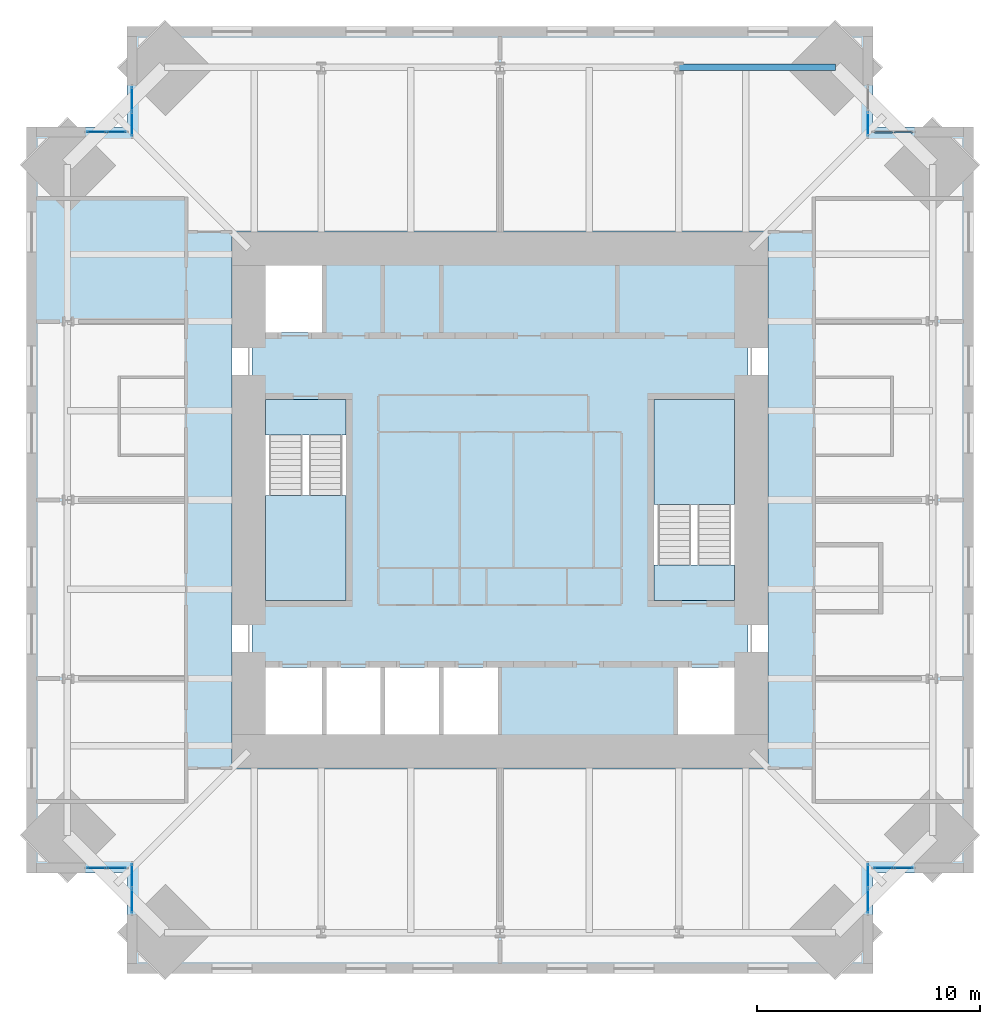
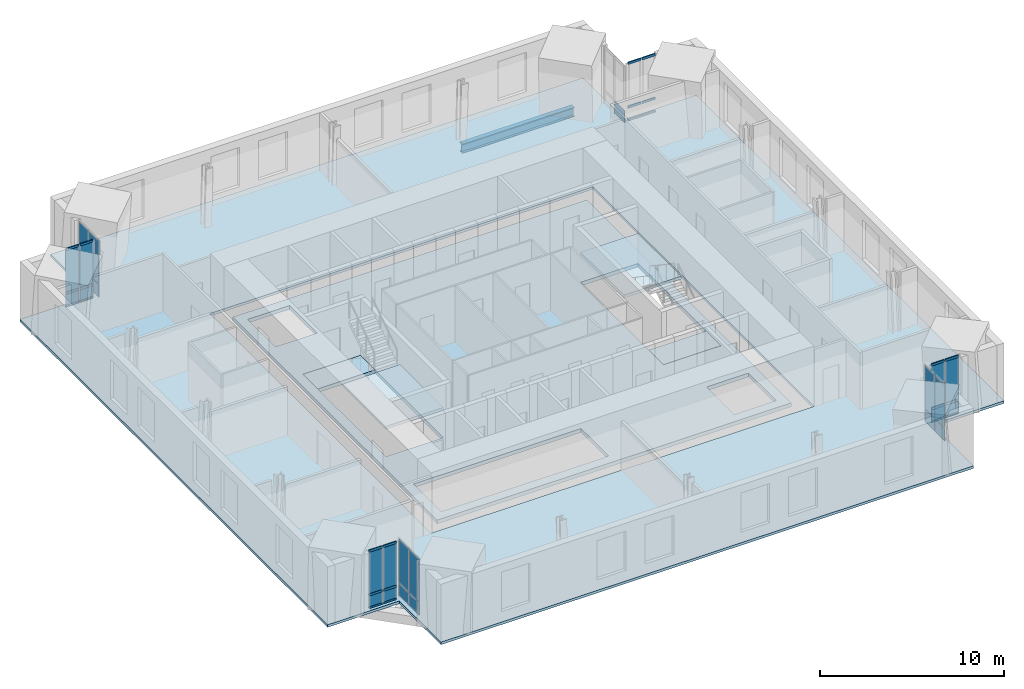
# One storey, part 9 of 15: 25 plates, 24 members, 6 slabs, 1 beam, 10 elements without a shape of their own.
"""IFC4 building model written with IfcOpenShell, lengths in metres."""

from ifc_helpers import new_model, si_unit, direction, frame, origin, origin_2d, place, context, subcontext, project, spatial, polyline, rectangle, hollow_rectangle, i_section, outline, extrude, material, layer, layer_set, material_profile, profile_set, type_object, element, aggregate, save


model = new_model("IFC4")

# Units and contexts
model_context = context("Model", 3, precision=1e-05, world=origin(), true_north=direction((0.0, 1.0)))
body_context = subcontext(model_context, "Body", "Model", "MODEL_VIEW")
ifc_project = project(units=[si_unit("LENGTHUNIT", "METRE"), si_unit("AREAUNIT", "SQUARE_METRE"), si_unit("VOLUMEUNIT", "CUBIC_METRE"), si_unit("PLANEANGLEUNIT", "RADIAN"), si_unit("MASSUNIT", "GRAM", prefix="KILO")], contexts=[model_context])

# Site, building, storey
site_placement = place(None, origin())
site = spatial("IfcSite", under=ifc_project, at=site_placement, CompositionType="ELEMENT")
building_placement = place(site_placement, origin())
building = spatial("IfcBuilding", under=site, at=building_placement, Name="Peilmerk Tower", CompositionType="ELEMENT")
storey_placement = place(building_placement, frame((0.0, 0.0, 285.800048828125)))
storey = spatial("IfcBuildingStorey", under=building, at=storey_placement, Name="L64", CompositionType="ELEMENT", Elevation=285.800048828125)

# Beam
ifc_material_1 = material(Name="Steel S355", Category="steel")
ifc_material_profile_1 = material_profile(ifc_material_1, i_section(OverallWidth=0.304931640625, OverallDepth=0.6201171875, WebThickness=0.02099609375, FlangeThickness=0.0400390625, at=origin_2d()), Name="HEM 600")
ifc_profile_set_1 = profile_set([ifc_material_profile_1], Name="Steel S355")
beam_type = type_object("IfcBeamType", Name="B31 HEM 600 edge beam", PredefinedType="SPANDREL", material=ifc_profile_set_1)
beam_placement = place(storey_placement, frame((15.0224609375, 19.37255859375, -0.47998046875), z_axis=(-1.0, 0.0, 0.0), x_axis=(0.0, -1.0, 0.0)))
element("IfcBeam", 1, at=beam_placement, inside=storey, type_object=beam_type, Name="Edge beam L64", PredefinedType="SPANDREL", context=body_context, shape_type="SweptSolid", body=[
    extrude(i_section(OverallWidth=0.304931640625, OverallDepth=0.6201171875, WebThickness=0.02099609375, FlangeThickness=0.0400390625, at=origin_2d()), origin(), (0.0, 0.0, 1.0), 7.0224609375),
])

# Curtain wall, members
ifc_material_2 = material(Name="Aluminium stick curtain wall", Category="aluminium")
curtain_wall_type = type_object("IfcCurtainWallType", Name="CW4 stick curtain wall, 2250 module", PredefinedType="NOTDEFINED", material=ifc_material_2)
curtain_wall_1_placement = place(storey_placement, origin())
curtain_wall_1 = element("IfcCurtainWall", 2, at=curtain_wall_1_placement, inside=storey, type_object=curtain_wall_type, Name="Curtain wall CW4 NEB L64", PredefinedType="NOTDEFINED")
ifc_material_3 = material(Name="Aluminium EN AW-6063 T6", Category="aluminium")
ifc_material_profile_2 = material_profile(ifc_material_3, hollow_rectangle(XDim=0.06494140625, YDim=0.14990234375, WallThickness=0.0029296875, at=origin_2d()), Name="AL 150x65x3")
ifc_profile_set_2 = profile_set([ifc_material_profile_2], Name="Aluminium EN AW-6063 T6")
member_type = type_object("IfcMemberType", Name="CW4-T AL 150x65x3 transom", PredefinedType="USERDEFINED", material=ifc_profile_set_2)
member_1_placement = place(storey_placement, frame((16.764892578125, 16.47509765625, 0.032470703125), z_axis=(1.0, 0.0, 0.0), x_axis=(0.0, 1.0, 0.0)))
member_1 = element("IfcMember", 3, at=member_1_placement, type_object=member_type, Name="CW4 transom 1.1", ObjectType="TRANSOM", PredefinedType="USERDEFINED", context=body_context, shape_type="SweptSolid", body=[
    extrude(hollow_rectangle(XDim=0.06494140625, YDim=0.14990234375, WallThickness=0.0029296875, at=origin_2d()), origin(), (0.0, 0.0, 1.0), 0.822021484375),
])
member_2_placement = place(storey_placement, frame((16.764892578125, 16.47509765625, 0.89990234375), z_axis=(1.0, 0.0, 0.0), x_axis=(0.0, 1.0, 0.0)))
member_2 = element("IfcMember", 4, at=member_2_placement, type_object=member_type, Name="CW4 transom 1.2", ObjectType="TRANSOM", PredefinedType="USERDEFINED", context=body_context, shape_type="SweptSolid", body=[
    extrude(hollow_rectangle(XDim=0.06494140625, YDim=0.14990234375, WallThickness=0.0029296875, at=origin_2d()), origin(), (0.0, 0.0, 1.0), 0.822021484375),
])
member_3_placement = place(storey_placement, frame((16.764892578125, 16.47509765625, 3.79736328125), z_axis=(1.0, 0.0, 0.0), x_axis=(0.0, 1.0, 0.0)))
member_3 = element("IfcMember", 5, at=member_3_placement, type_object=member_type, Name="CW4 transom 1.3", ObjectType="TRANSOM", PredefinedType="USERDEFINED", context=body_context, shape_type="SweptSolid", body=[
    extrude(hollow_rectangle(XDim=0.06494140625, YDim=0.14990234375, WallThickness=0.0029296875, at=origin_2d()), origin(), (0.0, 0.0, 1.0), 0.822021484375),
])
member_4_placement = place(storey_placement, frame((17.65185546875, 16.47509765625, 0.032470703125), z_axis=(1.0, 0.0, 0.0), x_axis=(0.0, 1.0, 0.0)))
member_4 = element("IfcMember", 6, at=member_4_placement, type_object=member_type, Name="CW4 transom 2.1", ObjectType="TRANSOM", PredefinedType="USERDEFINED", context=body_context, shape_type="SweptSolid", body=[
    extrude(hollow_rectangle(XDim=0.06494140625, YDim=0.14990234375, WallThickness=0.0029296875, at=origin_2d()), origin(), (0.0, 0.0, 1.0), 0.82177734375),
])
member_5_placement = place(storey_placement, frame((17.65185546875, 16.47509765625, 0.89990234375), z_axis=(1.0, 0.0, 0.0), x_axis=(0.0, 1.0, 0.0)))
member_5 = element("IfcMember", 7, at=member_5_placement, type_object=member_type, Name="CW4 transom 2.2", ObjectType="TRANSOM", PredefinedType="USERDEFINED", context=body_context, shape_type="SweptSolid", body=[
    extrude(hollow_rectangle(XDim=0.06494140625, YDim=0.14990234375, WallThickness=0.0029296875, at=origin_2d()), origin(), (0.0, 0.0, 1.0), 0.82177734375),
])
member_6_placement = place(storey_placement, frame((17.65185546875, 16.47509765625, 3.79736328125), z_axis=(1.0, 0.0, 0.0), x_axis=(0.0, 1.0, 0.0)))
member_6 = element("IfcMember", 8, at=member_6_placement, type_object=member_type, Name="CW4 transom 2.3", ObjectType="TRANSOM", PredefinedType="USERDEFINED", context=body_context, shape_type="SweptSolid", body=[
    extrude(hollow_rectangle(XDim=0.06494140625, YDim=0.14990234375, WallThickness=0.0029296875, at=origin_2d()), origin(), (0.0, 0.0, 1.0), 0.82177734375),
])
aggregate(curtain_wall_1, [member_1, member_2, member_3, member_4, member_5, member_6])

curtain_wall_2_placement = place(storey_placement, origin())
curtain_wall_2 = element("IfcCurtainWall", 9, at=curtain_wall_2_placement, inside=storey, type_object=curtain_wall_type, Name="Curtain wall CW4 SEB L64", PredefinedType="NOTDEFINED")
member_7_placement = place(storey_placement, frame((16.764892578125, -16.47509765625, 0.032470703125), z_axis=(1.0, 0.0, 0.0), x_axis=(0.0, 1.0, 0.0)))
member_7 = element("IfcMember", 10, at=member_7_placement, type_object=member_type, Name="CW4 transom 1.1", ObjectType="TRANSOM", PredefinedType="USERDEFINED", context=body_context, shape_type="SweptSolid", body=[
    extrude(hollow_rectangle(XDim=0.06494140625, YDim=0.14990234375, WallThickness=0.0029296875, at=origin_2d()), origin(), (0.0, 0.0, 1.0), 0.822021484375),
])
member_8_placement = place(storey_placement, frame((16.764892578125, -16.47509765625, 0.89990234375), z_axis=(1.0, 0.0, 0.0), x_axis=(0.0, 1.0, 0.0)))
member_8 = element("IfcMember", 11, at=member_8_placement, type_object=member_type, Name="CW4 transom 1.2", ObjectType="TRANSOM", PredefinedType="USERDEFINED", context=body_context, shape_type="SweptSolid", body=[
    extrude(hollow_rectangle(XDim=0.06494140625, YDim=0.14990234375, WallThickness=0.0029296875, at=origin_2d()), origin(), (0.0, 0.0, 1.0), 0.822021484375),
])
member_9_placement = place(storey_placement, frame((16.764892578125, -16.47509765625, 3.79736328125), z_axis=(1.0, 0.0, 0.0), x_axis=(0.0, 1.0, 0.0)))
member_9 = element("IfcMember", 12, at=member_9_placement, type_object=member_type, Name="CW4 transom 1.3", ObjectType="TRANSOM", PredefinedType="USERDEFINED", context=body_context, shape_type="SweptSolid", body=[
    extrude(hollow_rectangle(XDim=0.06494140625, YDim=0.14990234375, WallThickness=0.0029296875, at=origin_2d()), origin(), (0.0, 0.0, 1.0), 0.822021484375),
])
member_10_placement = place(storey_placement, frame((17.65185546875, -16.47509765625, 0.032470703125), z_axis=(1.0, 0.0, 0.0), x_axis=(0.0, 1.0, 0.0)))
member_10 = element("IfcMember", 13, at=member_10_placement, type_object=member_type, Name="CW4 transom 2.1", ObjectType="TRANSOM", PredefinedType="USERDEFINED", context=body_context, shape_type="SweptSolid", body=[
    extrude(hollow_rectangle(XDim=0.06494140625, YDim=0.14990234375, WallThickness=0.0029296875, at=origin_2d()), origin(), (0.0, 0.0, 1.0), 0.82177734375),
])
member_11_placement = place(storey_placement, frame((17.65185546875, -16.47509765625, 0.89990234375), z_axis=(1.0, 0.0, 0.0), x_axis=(0.0, 1.0, 0.0)))
member_11 = element("IfcMember", 14, at=member_11_placement, type_object=member_type, Name="CW4 transom 2.2", ObjectType="TRANSOM", PredefinedType="USERDEFINED", context=body_context, shape_type="SweptSolid", body=[
    extrude(hollow_rectangle(XDim=0.06494140625, YDim=0.14990234375, WallThickness=0.0029296875, at=origin_2d()), origin(), (0.0, 0.0, 1.0), 0.82177734375),
])
member_12_placement = place(storey_placement, frame((17.65185546875, -16.47509765625, 3.79736328125), z_axis=(1.0, 0.0, 0.0), x_axis=(0.0, 1.0, 0.0)))
member_12 = element("IfcMember", 15, at=member_12_placement, type_object=member_type, Name="CW4 transom 2.3", ObjectType="TRANSOM", PredefinedType="USERDEFINED", context=body_context, shape_type="SweptSolid", body=[
    extrude(hollow_rectangle(XDim=0.06494140625, YDim=0.14990234375, WallThickness=0.0029296875, at=origin_2d()), origin(), (0.0, 0.0, 1.0), 0.82177734375),
])

curtain_wall_3_placement = place(storey_placement, origin())
curtain_wall_3 = element("IfcCurtainWall", 16, at=curtain_wall_3_placement, inside=storey, type_object=curtain_wall_type, Name="Curtain wall CW4 SWB L64", PredefinedType="NOTDEFINED")
member_13_placement = place(storey_placement, frame((-16.764892578125, -16.47509765625, 0.032470703125), z_axis=(-1.0, 0.0, 0.0), x_axis=(0.0, -1.0, 0.0)))
member_13 = element("IfcMember", 17, at=member_13_placement, type_object=member_type, Name="CW4 transom 1.1", ObjectType="TRANSOM", PredefinedType="USERDEFINED", context=body_context, shape_type="SweptSolid", body=[
    extrude(hollow_rectangle(XDim=0.06494140625, YDim=0.14990234375, WallThickness=0.0029296875, at=origin_2d()), origin(), (0.0, 0.0, 1.0), 0.822021484375),
])
member_14_placement = place(storey_placement, frame((-16.764892578125, -16.47509765625, 0.89990234375), z_axis=(-1.0, 0.0, 0.0), x_axis=(0.0, -1.0, 0.0)))
member_14 = element("IfcMember", 18, at=member_14_placement, type_object=member_type, Name="CW4 transom 1.2", ObjectType="TRANSOM", PredefinedType="USERDEFINED", context=body_context, shape_type="SweptSolid", body=[
    extrude(hollow_rectangle(XDim=0.06494140625, YDim=0.14990234375, WallThickness=0.0029296875, at=origin_2d()), origin(), (0.0, 0.0, 1.0), 0.822021484375),
])
member_15_placement = place(storey_placement, frame((-16.764892578125, -16.47509765625, 3.79736328125), z_axis=(-1.0, 0.0, 0.0), x_axis=(0.0, -1.0, 0.0)))
member_15 = element("IfcMember", 19, at=member_15_placement, type_object=member_type, Name="CW4 transom 1.3", ObjectType="TRANSOM", PredefinedType="USERDEFINED", context=body_context, shape_type="SweptSolid", body=[
    extrude(hollow_rectangle(XDim=0.06494140625, YDim=0.14990234375, WallThickness=0.0029296875, at=origin_2d()), origin(), (0.0, 0.0, 1.0), 0.822021484375),
])
member_16_placement = place(storey_placement, frame((-17.65185546875, -16.47509765625, 0.032470703125), z_axis=(-1.0, 0.0, 0.0), x_axis=(0.0, -1.0, 0.0)))
member_16 = element("IfcMember", 20, at=member_16_placement, type_object=member_type, Name="CW4 transom 2.1", ObjectType="TRANSOM", PredefinedType="USERDEFINED", context=body_context, shape_type="SweptSolid", body=[
    extrude(hollow_rectangle(XDim=0.06494140625, YDim=0.14990234375, WallThickness=0.0029296875, at=origin_2d()), origin(), (0.0, 0.0, 1.0), 0.82177734375),
])
member_17_placement = place(storey_placement, frame((-17.65185546875, -16.47509765625, 0.89990234375), z_axis=(-1.0, 0.0, 0.0), x_axis=(0.0, -1.0, 0.0)))
member_17 = element("IfcMember", 21, at=member_17_placement, type_object=member_type, Name="CW4 transom 2.2", ObjectType="TRANSOM", PredefinedType="USERDEFINED", context=body_context, shape_type="SweptSolid", body=[
    extrude(hollow_rectangle(XDim=0.06494140625, YDim=0.14990234375, WallThickness=0.0029296875, at=origin_2d()), origin(), (0.0, 0.0, 1.0), 0.82177734375),
])
member_18_placement = place(storey_placement, frame((-17.65185546875, -16.47509765625, 3.79736328125), z_axis=(-1.0, 0.0, 0.0), x_axis=(0.0, -1.0, 0.0)))
member_18 = element("IfcMember", 22, at=member_18_placement, type_object=member_type, Name="CW4 transom 2.3", ObjectType="TRANSOM", PredefinedType="USERDEFINED", context=body_context, shape_type="SweptSolid", body=[
    extrude(hollow_rectangle(XDim=0.06494140625, YDim=0.14990234375, WallThickness=0.0029296875, at=origin_2d()), origin(), (0.0, 0.0, 1.0), 0.82177734375),
])

curtain_wall_4_placement = place(storey_placement, origin())
curtain_wall_4 = element("IfcCurtainWall", 23, at=curtain_wall_4_placement, inside=storey, type_object=curtain_wall_type, Name="Curtain wall CW4 NWB L64", PredefinedType="NOTDEFINED")
member_19_placement = place(storey_placement, frame((-16.764892578125, 16.47509765625, 0.032470703125), z_axis=(-1.0, 0.0, 0.0), x_axis=(0.0, -1.0, 0.0)))
member_19 = element("IfcMember", 24, at=member_19_placement, type_object=member_type, Name="CW4 transom 1.1", ObjectType="TRANSOM", PredefinedType="USERDEFINED", context=body_context, shape_type="SweptSolid", body=[
    extrude(hollow_rectangle(XDim=0.06494140625, YDim=0.14990234375, WallThickness=0.0029296875, at=origin_2d()), origin(), (0.0, 0.0, 1.0), 0.822021484375),
])
member_20_placement = place(storey_placement, frame((-16.764892578125, 16.47509765625, 0.89990234375), z_axis=(-1.0, 0.0, 0.0), x_axis=(0.0, -1.0, 0.0)))
member_20 = element("IfcMember", 25, at=member_20_placement, type_object=member_type, Name="CW4 transom 1.2", ObjectType="TRANSOM", PredefinedType="USERDEFINED", context=body_context, shape_type="SweptSolid", body=[
    extrude(hollow_rectangle(XDim=0.06494140625, YDim=0.14990234375, WallThickness=0.0029296875, at=origin_2d()), origin(), (0.0, 0.0, 1.0), 0.822021484375),
])
member_21_placement = place(storey_placement, frame((-16.764892578125, 16.47509765625, 3.79736328125), z_axis=(-1.0, 0.0, 0.0), x_axis=(0.0, -1.0, 0.0)))
member_21 = element("IfcMember", 26, at=member_21_placement, type_object=member_type, Name="CW4 transom 1.3", ObjectType="TRANSOM", PredefinedType="USERDEFINED", context=body_context, shape_type="SweptSolid", body=[
    extrude(hollow_rectangle(XDim=0.06494140625, YDim=0.14990234375, WallThickness=0.0029296875, at=origin_2d()), origin(), (0.0, 0.0, 1.0), 0.822021484375),
])
member_22_placement = place(storey_placement, frame((-17.65185546875, 16.47509765625, 0.032470703125), z_axis=(-1.0, 0.0, 0.0), x_axis=(0.0, -1.0, 0.0)))
member_22 = element("IfcMember", 27, at=member_22_placement, type_object=member_type, Name="CW4 transom 2.1", ObjectType="TRANSOM", PredefinedType="USERDEFINED", context=body_context, shape_type="SweptSolid", body=[
    extrude(hollow_rectangle(XDim=0.06494140625, YDim=0.14990234375, WallThickness=0.0029296875, at=origin_2d()), origin(), (0.0, 0.0, 1.0), 0.82177734375),
])
member_23_placement = place(storey_placement, frame((-17.65185546875, 16.47509765625, 0.89990234375), z_axis=(-1.0, 0.0, 0.0), x_axis=(0.0, -1.0, 0.0)))
member_23 = element("IfcMember", 28, at=member_23_placement, type_object=member_type, Name="CW4 transom 2.2", ObjectType="TRANSOM", PredefinedType="USERDEFINED", context=body_context, shape_type="SweptSolid", body=[
    extrude(hollow_rectangle(XDim=0.06494140625, YDim=0.14990234375, WallThickness=0.0029296875, at=origin_2d()), origin(), (0.0, 0.0, 1.0), 0.82177734375),
])
member_24_placement = place(storey_placement, frame((-17.65185546875, 16.47509765625, 3.79736328125), z_axis=(-1.0, 0.0, 0.0), x_axis=(0.0, -1.0, 0.0)))
member_24 = element("IfcMember", 29, at=member_24_placement, type_object=member_type, Name="CW4 transom 2.3", ObjectType="TRANSOM", PredefinedType="USERDEFINED", context=body_context, shape_type="SweptSolid", body=[
    extrude(hollow_rectangle(XDim=0.06494140625, YDim=0.14990234375, WallThickness=0.0029296875, at=origin_2d()), origin(), (0.0, 0.0, 1.0), 0.82177734375),
])

# Slab
ifc_material_4 = material(Name="Concrete C55/67", Category="concrete")
ifc_layer_1 = layer(ifc_material_4, 0.25)
ifc_layer_set_1 = layer_set([ifc_layer_1], Name="Concrete C55/67")
slab_type_1 = type_object("IfcSlabType", Name="CS250 250 core floor slab", PredefinedType="FLOOR", material=ifc_layer_set_1)
slab_1_placement = place(storey_placement, frame((0.0, 0.0, -0.25)))
element("IfcSlab", 30, at=slab_1_placement, inside=storey, type_object=slab_type_1, Name="Core slab L64", PredefinedType="FLOOR", context=body_context, shape_type="SweptSolid", body=[
    extrude(outline(polyline([(11.10009765625, -11.10009765625), (11.10009765625, 11.10009765625), (-11.10009765625, 11.10009765625), (-11.10009765625, -11.10009765625), (11.10009765625, -11.10009765625)]), holes=[polyline([(-7.875, 7.5), (-10.5, 7.5), (-10.5, 10.5), (-7.875, 10.5), (-7.875, 7.5)]), polyline([(0.0, -10.5), (-10.5, -10.5), (-10.5, -7.5), (0.0, -7.5), (0.0, -10.5)]), polyline([(7.875, -10.5), (7.875, -7.5), (10.5, -7.5), (10.5, -10.5), (7.875, -10.5)]), polyline([(-10.5, 4.5), (-6.89990234375, 4.5), (-6.89990234375, -4.5), (-10.5, -4.5), (-10.5, 4.5)]), polyline([(10.5, 4.5), (10.5, -4.5), (6.89990234375, -4.5), (6.89990234375, 4.5), (10.5, 4.5)])]), origin(), (0.0, 0.0, 1.0), 0.25),
])

# Curtain wall, plate
curtain_wall_5_placement = place(storey_placement, origin())
curtain_wall_5 = element("IfcCurtainWall", 31, at=curtain_wall_5_placement, inside=storey, type_object=curtain_wall_type, Name="Curtain wall CW4 NEA L64", PredefinedType="NOTDEFINED")
ifc_material_5 = material(Name="Clear insulated glazing unit", Category="glass")
ifc_layer_2 = layer(ifc_material_5, 0.028076171875)
ifc_layer_set_2 = layer_set([ifc_layer_2], Name="Clear insulated glazing unit")
plate_type = type_object("IfcPlateType", Name="CW4-P 28 glazed panel", PredefinedType="CURTAIN_PANEL", material=ifc_layer_set_2)
plate_1_placement = place(storey_placement, frame((16.47509765625, 16.83837890625, 0.06494140625), z_axis=(0.0, 0.0, 1.0), x_axis=(0.0, 1.0, 0.0)))
plate_1 = element("IfcPlate", 32, at=plate_1_placement, type_object=plate_type, Name="CW4 panel 1.1", PredefinedType="CURTAIN_PANEL", context=body_context, shape_type="SweptSolid", body=[
    extrude(rectangle(XDim=1.046875, YDim=0.028076171875, at=origin_2d()), origin(), (0.0, 0.0, 1.0), 0.802490234375),
])
aggregate(curtain_wall_5, [plate_1])

# Curtain wall, plates
curtain_wall_6_placement = place(storey_placement, origin())
curtain_wall_6 = element("IfcCurtainWall", 33, at=curtain_wall_6_placement, inside=storey, type_object=curtain_wall_type, Name="Curtain wall CW4 SEA L64", PredefinedType="NOTDEFINED")
plate_2_placement = place(storey_placement, frame((16.47509765625, -16.83837890625, 0.06494140625), z_axis=(0.0, 0.0, 1.0), x_axis=(0.0, -1.0, 0.0)))
plate_2 = element("IfcPlate", 34, at=plate_2_placement, type_object=plate_type, Name="CW4 panel 1.1", PredefinedType="CURTAIN_PANEL", context=body_context, shape_type="SweptSolid", body=[
    extrude(rectangle(XDim=1.046875, YDim=0.028076171875, at=origin_2d()), origin(), (0.0, 0.0, 1.0), 0.802490234375),
])
plate_3_placement = place(storey_placement, frame((16.47509765625, -16.83837890625, 0.932373046875), z_axis=(0.0, 0.0, 1.0), x_axis=(0.0, -1.0, 0.0)))
plate_3 = element("IfcPlate", 35, at=plate_3_placement, type_object=plate_type, Name="CW4 panel 1.2", PredefinedType="CURTAIN_PANEL", context=body_context, shape_type="SweptSolid", body=[
    extrude(rectangle(XDim=1.046875, YDim=0.028076171875, at=origin_2d()), origin(), (0.0, 0.0, 1.0), 2.83251953125),
])
plate_4_placement = place(storey_placement, frame((16.47509765625, -17.9501953125, 0.06494140625), z_axis=(0.0, 0.0, 1.0), x_axis=(0.0, -1.0, 0.0)))
plate_4 = element("IfcPlate", 36, at=plate_4_placement, type_object=plate_type, Name="CW4 panel 2.1", PredefinedType="CURTAIN_PANEL", context=body_context, shape_type="SweptSolid", body=[
    extrude(rectangle(XDim=1.046875, YDim=0.028076171875, at=origin_2d()), origin(), (0.0, 0.0, 1.0), 0.802490234375),
])
plate_5_placement = place(storey_placement, frame((16.47509765625, -17.9501953125, 0.932373046875), z_axis=(0.0, 0.0, 1.0), x_axis=(0.0, -1.0, 0.0)))
plate_5 = element("IfcPlate", 37, at=plate_5_placement, type_object=plate_type, Name="CW4 panel 2.2", PredefinedType="CURTAIN_PANEL", context=body_context, shape_type="SweptSolid", body=[
    extrude(rectangle(XDim=1.046875, YDim=0.028076171875, at=origin_2d()), origin(), (0.0, 0.0, 1.0), 2.83251953125),
])
aggregate(curtain_wall_6, [plate_2, plate_3, plate_4, plate_5])

# Plate
plate_6_placement = place(storey_placement, frame((17.176025390625, -16.47509765625, 0.06494140625), z_axis=(0.0, 0.0, 1.0), x_axis=(1.0, 0.0, 0.0)))
plate_6 = element("IfcPlate", 38, at=plate_6_placement, type_object=plate_type, Name="CW4 panel 1.1", PredefinedType="CURTAIN_PANEL", context=body_context, shape_type="SweptSolid", body=[
    extrude(rectangle(XDim=0.82177734375, YDim=0.028076171875, at=origin_2d()), origin(), (0.0, 0.0, 1.0), 0.802490234375),
])

plate_7_placement = place(storey_placement, frame((17.176025390625, -16.47509765625, 0.932373046875), z_axis=(0.0, 0.0, 1.0), x_axis=(1.0, 0.0, 0.0)))
plate_7 = element("IfcPlate", 39, at=plate_7_placement, type_object=plate_type, Name="CW4 panel 1.2", PredefinedType="CURTAIN_PANEL", context=body_context, shape_type="SweptSolid", body=[
    extrude(rectangle(XDim=0.82177734375, YDim=0.028076171875, at=origin_2d()), origin(), (0.0, 0.0, 1.0), 2.83251953125),
])

plate_8_placement = place(storey_placement, frame((18.062744140625, -16.47509765625, 0.06494140625), z_axis=(0.0, 0.0, 1.0), x_axis=(1.0, 0.0, 0.0)))
plate_8 = element("IfcPlate", 40, at=plate_8_placement, type_object=plate_type, Name="CW4 panel 2.1", PredefinedType="CURTAIN_PANEL", context=body_context, shape_type="SweptSolid", body=[
    extrude(rectangle(XDim=0.82177734375, YDim=0.028076171875, at=origin_2d()), origin(), (0.0, 0.0, 1.0), 0.802490234375),
])

plate_9_placement = place(storey_placement, frame((18.062744140625, -16.47509765625, 0.932373046875), z_axis=(0.0, 0.0, 1.0), x_axis=(1.0, 0.0, 0.0)))
plate_9 = element("IfcPlate", 41, at=plate_9_placement, type_object=plate_type, Name="CW4 panel 2.2", PredefinedType="CURTAIN_PANEL", context=body_context, shape_type="SweptSolid", body=[
    extrude(rectangle(XDim=0.82177734375, YDim=0.028076171875, at=origin_2d()), origin(), (0.0, 0.0, 1.0), 2.83251953125),
])

aggregate(curtain_wall_2, [member_7, member_8, member_9, plate_6, plate_7, member_10, member_11, member_12, plate_8, plate_9])

# Curtain wall, plates
curtain_wall_7_placement = place(storey_placement, origin())
curtain_wall_7 = element("IfcCurtainWall", 42, at=curtain_wall_7_placement, inside=storey, type_object=curtain_wall_type, Name="Curtain wall CW4 SWA L64", PredefinedType="NOTDEFINED")
plate_10_placement = place(storey_placement, frame((-16.47509765625, -16.83837890625, 0.06494140625), z_axis=(0.0, 0.0, 1.0), x_axis=(0.0, -1.0, 0.0)))
plate_10 = element("IfcPlate", 43, at=plate_10_placement, type_object=plate_type, Name="CW4 panel 1.1", PredefinedType="CURTAIN_PANEL", context=body_context, shape_type="SweptSolid", body=[
    extrude(rectangle(XDim=1.046875, YDim=0.028076171875, at=origin_2d()), origin(), (0.0, 0.0, 1.0), 0.802490234375),
])
plate_11_placement = place(storey_placement, frame((-16.47509765625, -16.83837890625, 0.932373046875), z_axis=(0.0, 0.0, 1.0), x_axis=(0.0, -1.0, 0.0)))
plate_11 = element("IfcPlate", 44, at=plate_11_placement, type_object=plate_type, Name="CW4 panel 1.2", PredefinedType="CURTAIN_PANEL", context=body_context, shape_type="SweptSolid", body=[
    extrude(rectangle(XDim=1.046875, YDim=0.028076171875, at=origin_2d()), origin(), (0.0, 0.0, 1.0), 2.83251953125),
])
plate_12_placement = place(storey_placement, frame((-16.47509765625, -17.9501953125, 0.06494140625), z_axis=(0.0, 0.0, 1.0), x_axis=(0.0, -1.0, 0.0)))
plate_12 = element("IfcPlate", 45, at=plate_12_placement, type_object=plate_type, Name="CW4 panel 2.1", PredefinedType="CURTAIN_PANEL", context=body_context, shape_type="SweptSolid", body=[
    extrude(rectangle(XDim=1.046875, YDim=0.028076171875, at=origin_2d()), origin(), (0.0, 0.0, 1.0), 0.802490234375),
])
plate_13_placement = place(storey_placement, frame((-16.47509765625, -17.9501953125, 0.932373046875), z_axis=(0.0, 0.0, 1.0), x_axis=(0.0, -1.0, 0.0)))
plate_13 = element("IfcPlate", 46, at=plate_13_placement, type_object=plate_type, Name="CW4 panel 2.2", PredefinedType="CURTAIN_PANEL", context=body_context, shape_type="SweptSolid", body=[
    extrude(rectangle(XDim=1.046875, YDim=0.028076171875, at=origin_2d()), origin(), (0.0, 0.0, 1.0), 2.83251953125),
])
aggregate(curtain_wall_7, [plate_10, plate_11, plate_12, plate_13])

# Plate
plate_14_placement = place(storey_placement, frame((-17.176025390625, -16.47509765625, 0.06494140625), z_axis=(0.0, 0.0, 1.0), x_axis=(-1.0, 0.0, 0.0)))
plate_14 = element("IfcPlate", 47, at=plate_14_placement, type_object=plate_type, Name="CW4 panel 1.1", PredefinedType="CURTAIN_PANEL", context=body_context, shape_type="SweptSolid", body=[
    extrude(rectangle(XDim=0.82177734375, YDim=0.028076171875, at=origin_2d()), origin(), (0.0, 0.0, 1.0), 0.802490234375),
])

plate_15_placement = place(storey_placement, frame((-17.176025390625, -16.47509765625, 0.932373046875), z_axis=(0.0, 0.0, 1.0), x_axis=(-1.0, 0.0, 0.0)))
plate_15 = element("IfcPlate", 48, at=plate_15_placement, type_object=plate_type, Name="CW4 panel 1.2", PredefinedType="CURTAIN_PANEL", context=body_context, shape_type="SweptSolid", body=[
    extrude(rectangle(XDim=0.82177734375, YDim=0.028076171875, at=origin_2d()), origin(), (0.0, 0.0, 1.0), 2.83251953125),
])

plate_16_placement = place(storey_placement, frame((-18.062744140625, -16.47509765625, 0.06494140625), z_axis=(0.0, 0.0, 1.0), x_axis=(-1.0, 0.0, 0.0)))
plate_16 = element("IfcPlate", 49, at=plate_16_placement, type_object=plate_type, Name="CW4 panel 2.1", PredefinedType="CURTAIN_PANEL", context=body_context, shape_type="SweptSolid", body=[
    extrude(rectangle(XDim=0.82177734375, YDim=0.028076171875, at=origin_2d()), origin(), (0.0, 0.0, 1.0), 0.802490234375),
])

plate_17_placement = place(storey_placement, frame((-18.062744140625, -16.47509765625, 0.932373046875), z_axis=(0.0, 0.0, 1.0), x_axis=(-1.0, 0.0, 0.0)))
plate_17 = element("IfcPlate", 50, at=plate_17_placement, type_object=plate_type, Name="CW4 panel 2.2", PredefinedType="CURTAIN_PANEL", context=body_context, shape_type="SweptSolid", body=[
    extrude(rectangle(XDim=0.82177734375, YDim=0.028076171875, at=origin_2d()), origin(), (0.0, 0.0, 1.0), 2.83251953125),
])

aggregate(curtain_wall_3, [member_13, member_14, member_15, plate_14, plate_15, member_16, member_17, member_18, plate_16, plate_17])

# Curtain wall, plates
curtain_wall_8_placement = place(storey_placement, origin())
curtain_wall_8 = element("IfcCurtainWall", 51, at=curtain_wall_8_placement, inside=storey, type_object=curtain_wall_type, Name="Curtain wall CW4 NWA L64", PredefinedType="NOTDEFINED")
plate_18_placement = place(storey_placement, frame((-16.47509765625, 16.83837890625, 0.06494140625), z_axis=(0.0, 0.0, 1.0), x_axis=(0.0, 1.0, 0.0)))
plate_18 = element("IfcPlate", 52, at=plate_18_placement, type_object=plate_type, Name="CW4 panel 1.1", PredefinedType="CURTAIN_PANEL", context=body_context, shape_type="SweptSolid", body=[
    extrude(rectangle(XDim=1.046875, YDim=0.028076171875, at=origin_2d()), origin(), (0.0, 0.0, 1.0), 0.802490234375),
])
plate_19_placement = place(storey_placement, frame((-16.47509765625, 16.83837890625, 0.932373046875), z_axis=(0.0, 0.0, 1.0), x_axis=(0.0, 1.0, 0.0)))
plate_19 = element("IfcPlate", 53, at=plate_19_placement, type_object=plate_type, Name="CW4 panel 1.2", PredefinedType="CURTAIN_PANEL", context=body_context, shape_type="SweptSolid", body=[
    extrude(rectangle(XDim=1.046875, YDim=0.028076171875, at=origin_2d()), origin(), (0.0, 0.0, 1.0), 2.83251953125),
])
plate_20_placement = place(storey_placement, frame((-16.47509765625, 17.9501953125, 0.06494140625), z_axis=(0.0, 0.0, 1.0), x_axis=(0.0, 1.0, 0.0)))
plate_20 = element("IfcPlate", 54, at=plate_20_placement, type_object=plate_type, Name="CW4 panel 2.1", PredefinedType="CURTAIN_PANEL", context=body_context, shape_type="SweptSolid", body=[
    extrude(rectangle(XDim=1.046875, YDim=0.028076171875, at=origin_2d()), origin(), (0.0, 0.0, 1.0), 0.802490234375),
])
plate_21_placement = place(storey_placement, frame((-16.47509765625, 17.9501953125, 0.932373046875), z_axis=(0.0, 0.0, 1.0), x_axis=(0.0, 1.0, 0.0)))
plate_21 = element("IfcPlate", 55, at=plate_21_placement, type_object=plate_type, Name="CW4 panel 2.2", PredefinedType="CURTAIN_PANEL", context=body_context, shape_type="SweptSolid", body=[
    extrude(rectangle(XDim=1.046875, YDim=0.028076171875, at=origin_2d()), origin(), (0.0, 0.0, 1.0), 2.83251953125),
])
aggregate(curtain_wall_8, [plate_18, plate_19, plate_20, plate_21])

# Plate
plate_22_placement = place(storey_placement, frame((-17.176025390625, 16.47509765625, 0.06494140625), z_axis=(0.0, 0.0, 1.0), x_axis=(-1.0, 0.0, 0.0)))
plate_22 = element("IfcPlate", 56, at=plate_22_placement, type_object=plate_type, Name="CW4 panel 1.1", PredefinedType="CURTAIN_PANEL", context=body_context, shape_type="SweptSolid", body=[
    extrude(rectangle(XDim=0.82177734375, YDim=0.028076171875, at=origin_2d()), origin(), (0.0, 0.0, 1.0), 0.802490234375),
])

plate_23_placement = place(storey_placement, frame((-17.176025390625, 16.47509765625, 0.932373046875), z_axis=(0.0, 0.0, 1.0), x_axis=(-1.0, 0.0, 0.0)))
plate_23 = element("IfcPlate", 57, at=plate_23_placement, type_object=plate_type, Name="CW4 panel 1.2", PredefinedType="CURTAIN_PANEL", context=body_context, shape_type="SweptSolid", body=[
    extrude(rectangle(XDim=0.82177734375, YDim=0.028076171875, at=origin_2d()), origin(), (0.0, 0.0, 1.0), 2.83251953125),
])

plate_24_placement = place(storey_placement, frame((-18.062744140625, 16.47509765625, 0.06494140625), z_axis=(0.0, 0.0, 1.0), x_axis=(-1.0, 0.0, 0.0)))
plate_24 = element("IfcPlate", 58, at=plate_24_placement, type_object=plate_type, Name="CW4 panel 2.1", PredefinedType="CURTAIN_PANEL", context=body_context, shape_type="SweptSolid", body=[
    extrude(rectangle(XDim=0.82177734375, YDim=0.028076171875, at=origin_2d()), origin(), (0.0, 0.0, 1.0), 0.802490234375),
])

plate_25_placement = place(storey_placement, frame((-18.062744140625, 16.47509765625, 0.932373046875), z_axis=(0.0, 0.0, 1.0), x_axis=(-1.0, 0.0, 0.0)))
plate_25 = element("IfcPlate", 59, at=plate_25_placement, type_object=plate_type, Name="CW4 panel 2.2", PredefinedType="CURTAIN_PANEL", context=body_context, shape_type="SweptSolid", body=[
    extrude(rectangle(XDim=0.82177734375, YDim=0.028076171875, at=origin_2d()), origin(), (0.0, 0.0, 1.0), 2.83251953125),
])

aggregate(curtain_wall_4, [member_19, member_20, member_21, plate_22, plate_23, member_22, member_23, member_24, plate_24, plate_25])

# Slab
ifc_material_6 = material(Name="Concrete C35/45", Category="concrete")
ifc_layer_3 = layer(ifc_material_6, 0.169921875)
ifc_layer_set_3 = layer_set([ifc_layer_3], Name="Concrete C35/45")
slab_type_2 = type_object("IfcSlabType", Name="FS170 170 composite floor slab", PredefinedType="FLOOR", material=ifc_layer_set_3)
slab_2_placement = place(storey_placement, frame((0.0, 0.0, -0.170166015625)))
element("IfcSlab", 60, at=slab_2_placement, inside=storey, type_object=slab_type_2, Name="Floor slab L64", PredefinedType="FLOOR", context=body_context, shape_type="SweptSolid", body=[
    extrude(outline(polyline([(-16.699951171875, -21.199951171875), (16.699951171875, -21.199951171875), (16.699951171875, -16.699951171875), (21.199951171875, -16.699951171875), (21.199951171875, 16.699951171875), (16.699951171875, 16.699951171875), (16.699951171875, 21.199951171875), (-16.699951171875, 21.199951171875), (-16.699951171875, 16.699951171875), (-21.199951171875, 16.699951171875), (-21.199951171875, -16.699951171875), (-16.699951171875, -16.699951171875), (-16.699951171875, -21.199951171875)]), holes=[polyline([(12.0, 12.0), (12.0, -12.0), (-12.0, -12.0), (-12.0, 12.0), (12.0, 12.0)])]), origin(), (0.0, 0.0, 1.0), 0.170166015625),
])

# Stair, slab
ifc_material_7 = material(Name="Precast concrete C45/55", Category="concrete")
stair_type_1 = type_object("IfcStairType", Name="ST1 22 risers of 181.8", PredefinedType="HALF_TURN_STAIR", material=ifc_material_7)
stair_1_placement = place(storey_placement, origin())
stair_1 = element("IfcStair", 61, at=stair_1_placement, inside=storey, type_object=stair_type_1, Name="Stair 1 L64 to L65", PredefinedType="HALF_TURN_STAIR")
ifc_layer_4 = layer(ifc_material_6, 0.199951171875)
ifc_layer_set_4 = layer_set([ifc_layer_4], Name="Concrete C35/45")
slab_type_3 = type_object("IfcSlabType", Name="SL1 200 concrete stair landing", PredefinedType="LANDING", material=ifc_layer_set_4)
slab_3_placement = place(storey_placement, frame((0.0, 0.0, 1.800048828125)))
slab_3 = element("IfcSlab", 62, at=slab_3_placement, type_object=slab_type_3, Name="ST1 landing 1", PredefinedType="LANDING", context=body_context, shape_type="SweptSolid", body=[
    extrude(outline(polyline([(-10.5, -4.5), (-6.89990234375, -4.5), (-6.89990234375, 0.199951171875), (-10.5, 0.199951171875), (-10.5, -4.5)])), origin(), (0.0, 0.0, 1.0), 0.199951171875),
])

stair_type_2 = type_object("IfcStairType", Name="ST2 22 risers of 181.8", PredefinedType="HALF_TURN_STAIR", material=ifc_material_7)
stair_2_placement = place(storey_placement, origin())
stair_2 = element("IfcStair", 63, at=stair_2_placement, inside=storey, type_object=stair_type_2, Name="Stair 2 L64 to L65", PredefinedType="HALF_TURN_STAIR")
slab_4_placement = place(storey_placement, frame((0.0, 0.0, 1.800048828125)))
slab_4 = element("IfcSlab", 64, at=slab_4_placement, type_object=slab_type_3, Name="ST2 landing 1", PredefinedType="LANDING", context=body_context, shape_type="SweptSolid", body=[
    extrude(outline(polyline([(6.89990234375, -0.199951171875), (10.5, -0.199951171875), (10.5, 4.5), (6.89990234375, 4.5), (6.89990234375, -0.199951171875)])), origin(), (0.0, 0.0, 1.0), 0.199951171875),
])

# Slab
ifc_layer_5 = layer(ifc_material_6, 0.25)
ifc_layer_set_5 = layer_set([ifc_layer_5], Name="Concrete C35/45")
slab_type_4 = type_object("IfcSlabType", Name="SL2 250 concrete floor landing", PredefinedType="LANDING", material=ifc_layer_set_5)
slab_5_placement = place(storey_placement, frame((0.0, 0.0, -0.25)))
slab_5 = element("IfcSlab", 65, at=slab_5_placement, type_object=slab_type_4, Name="ST1 floor landing", PredefinedType="LANDING", context=body_context, shape_type="SweptSolid", body=[
    extrude(outline(polyline([(-10.5, 2.89990234375), (-6.89990234375, 2.89990234375), (-6.89990234375, 4.5), (-10.5, 4.5), (-10.5, 2.89990234375)])), origin(), (0.0, 0.0, 1.0), 0.25),
])

aggregate(stair_1, [slab_3, slab_5])

slab_6_placement = place(storey_placement, frame((0.0, 0.0, -0.25)))
slab_6 = element("IfcSlab", 66, at=slab_6_placement, type_object=slab_type_4, Name="ST2 floor landing", PredefinedType="LANDING", context=body_context, shape_type="SweptSolid", body=[
    extrude(outline(polyline([(6.89990234375, -4.5), (10.5, -4.5), (10.5, -2.89990234375), (6.89990234375, -2.89990234375), (6.89990234375, -4.5)])), origin(), (0.0, 0.0, 1.0), 0.25),
])

aggregate(stair_2, [slab_4, slab_6])

save(model, "model.ifc")
